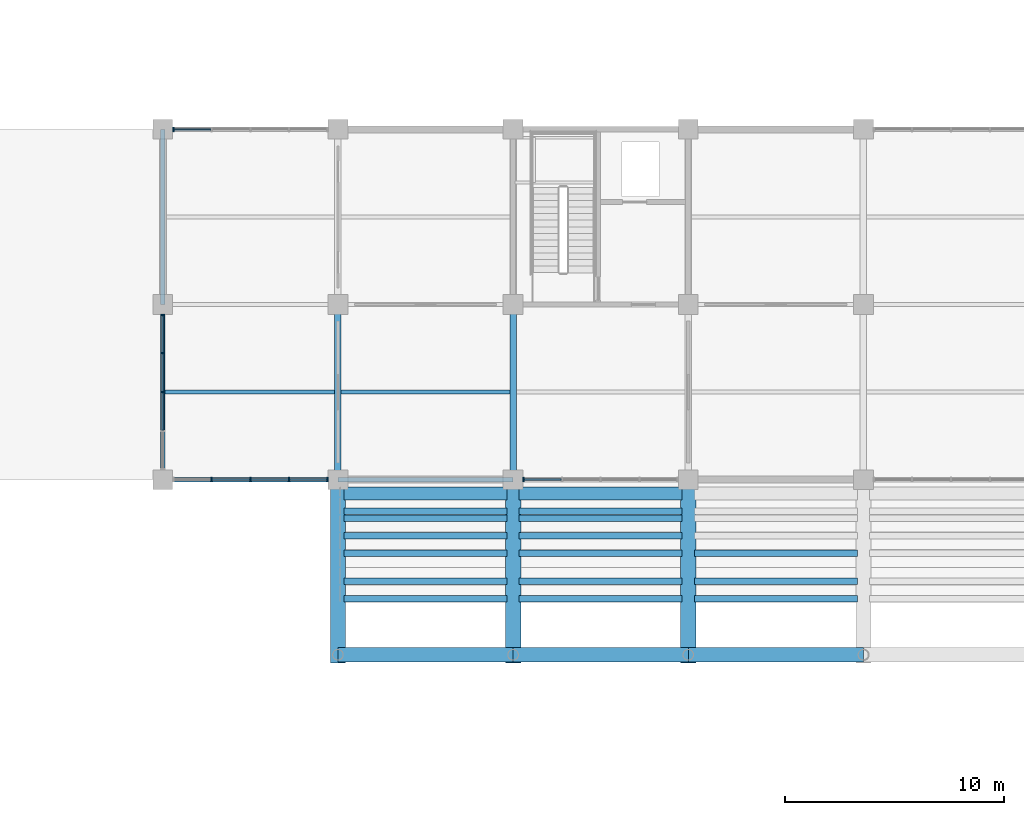
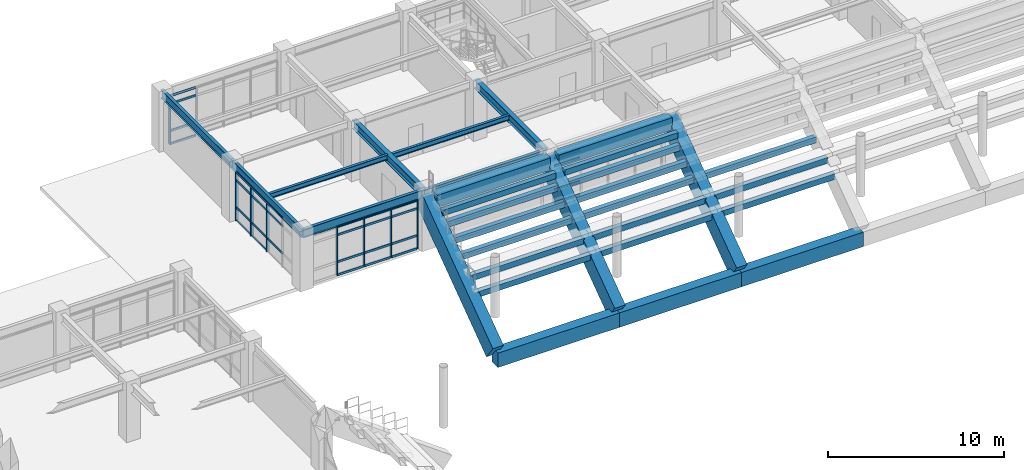
# One storey, part 53 of 118: 40 members, 31 beams, 4 elements without a shape of their own.
"""IFC4 building model written with IfcOpenShell, lengths in metres."""

from ifc_helpers import new_model, si_unit, direction, frame, origin, origin_2d, place, context, subcontext, project, spatial, rectangle, i_section, extrude, material, layer, layer_set, material_profile, profile_set, type_object, element, aggregate, save


model = new_model("IFC4")

# Units and contexts
model_context = context("Model", 3, precision=1e-05, world=origin(), true_north=direction((0.0, 1.0)))
body_context = subcontext(model_context, "Body", "Model", "MODEL_VIEW")
ifc_project = project(units=[si_unit("LENGTHUNIT", "METRE"), si_unit("AREAUNIT", "SQUARE_METRE"), si_unit("VOLUMEUNIT", "CUBIC_METRE"), si_unit("PLANEANGLEUNIT", "RADIAN"), si_unit("MASSUNIT", "GRAM", prefix="KILO")], contexts=[model_context])

# Site, building, storey
site_placement = place(None, origin())
site = spatial("IfcSite", under=ifc_project, at=site_placement, CompositionType="ELEMENT")
building_placement = place(site_placement, origin())
building = spatial("IfcBuilding", under=site, at=building_placement, Name="Haebicheon Civic Stadium", CompositionType="ELEMENT")
storey_placement = place(building_placement, frame((0.0, 0.0, 14.39990234375)))
storey = spatial("IfcBuildingStorey", under=building, at=storey_placement, Name="L04", CompositionType="ELEMENT", Elevation=14.39990234375)

# Beams
ifc_material_1 = material(Name="Precast concrete C40/50", Category="concrete")
ifc_material_profile_1 = material_profile(ifc_material_1, rectangle(XDim=0.300048828125, YDim=0.39990234375, at=origin_2d()), Name="PC-LN-300x400")
ifc_profile_set_1 = profile_set([ifc_material_profile_1], Name="Precast concrete C40/50")
beam_type_1 = type_object("IfcBeamType", Name="BM-LN-300x400", PredefinedType="LINTEL", material=ifc_profile_set_1)
for number, where, z_axis, x_axis, name in (
    (1, (80.280029296875, 146.56005859375, -0.10693359375), (1.0, 0.0, 0.0), (0.0, 1.0, 0.0), "TIER-N-U precast step carrier beam 1.4"),
    (2, (80.280029296875, 147.360107421875, 0.5380859375), (1.0, 0.0, 0.0), (0.0, 1.0, 0.0), "TIER-N-U precast step carrier beam 1.5"),
    (3, (80.280029296875, 148.639892578125, 1.18212890625), (1.0, 0.0, 0.0), (0.0, 1.0, 0.0), "TIER-N-U precast step carrier beam 1.6"),
    (4, (80.280029296875, 149.43994140625, 1.8271484375), (1.0, 0.0, 0.0), (0.0, 1.0, 0.0), "TIER-N-U precast step carrier beam 1.7"),
    (5, (80.280029296875, 150.239990234375, 2.47119140625), (1.0, 0.0, 0.0), (0.0, 1.0, 0.0), "TIER-N-U precast step carrier beam 1.8"),
    (6, (80.280029296875, 150.56005859375, 3.1162109375), (1.0, 0.0, 0.0), (0.0, 1.0, 0.0), "TIER-N-U precast step carrier beam 1.9"),
    (7, (88.280029296875, 146.56005859375, -0.10693359375), (1.0, 0.0, 0.0), (0.0, 1.0, 0.0), "TIER-N-U precast step carrier beam 2.4"),
    (8, (88.280029296875, 147.360107421875, 0.5380859375), (1.0, 0.0, 0.0), (0.0, 1.0, 0.0), "TIER-N-U precast step carrier beam 2.5"),
    (9, (88.280029296875, 148.639892578125, 1.18212890625), (1.0, 0.0, 0.0), (0.0, 1.0, 0.0), "TIER-N-U precast step carrier beam 2.6"),
    (10, (88.280029296875, 149.43994140625, 1.8271484375), (1.0, 0.0, 0.0), (0.0, 1.0, 0.0), "TIER-N-U precast step carrier beam 2.7"),
    (11, (88.280029296875, 150.239990234375, 2.47119140625), (1.0, 0.0, 0.0), (0.0, 1.0, 0.0), "TIER-N-U precast step carrier beam 2.8"),
    (12, (88.280029296875, 150.56005859375, 3.1162109375), (1.0, 0.0, 0.0), (0.0, 1.0, 0.0), "TIER-N-U precast step carrier beam 2.9"),
    (13, (96.280029296875, 146.56005859375, -0.10693359375), (1.0, 0.0, 0.0), (0.0, 1.0, 0.0), "TIER-N-U precast step carrier beam 3.4"),
    (14, (96.280029296875, 147.360107421875, 0.5380859375), (1.0, 0.0, 0.0), (0.0, 1.0, 0.0), "TIER-N-U precast step carrier beam 3.5"),
    (15, (96.280029296875, 148.639892578125, 1.18212890625), (1.0, 0.0, 0.0), (0.0, 1.0, 0.0), "TIER-N-U precast step carrier beam 3.6"),
):
    element("IfcBeam", number, at=place(storey_placement, frame(where, z_axis=z_axis, x_axis=x_axis)), inside=storey, type_object=beam_type_1, material=ifc_profile_set_1, Name=name, PredefinedType="LINTEL", context=body_context, shape_type="SweptSolid", body=[
        extrude(rectangle(XDim=0.300048828125, YDim=0.39990234375, at=origin_2d()), origin(), (0.0, 0.0, 1.0), 7.43994140625),
    ])
ifc_material_2 = material(Name="Concrete C40/50", Category="concrete")
ifc_material_profile_2 = material_profile(ifc_material_2, rectangle(XDim=0.64990234375, YDim=1.0, at=origin_2d()), Name="RC-BM-650x1000")
ifc_profile_set_2 = profile_set([ifc_material_profile_2], Name="Concrete C40/50")
beam_type_2 = type_object("IfcBeamType", Name="BM-RC-650x1000", PredefinedType="BEAM", material=ifc_profile_set_2)
for number, where, z_axis, x_axis, name in (
    (16, (80.0, 144.0, -2.914794921875), (1.0, 0.0, 0.0), (0.0, 1.0, 0.0), "TIER-N-U nose support girder 1"),
    (17, (88.0, 144.0, -2.914794921875), (1.0, 0.0, 0.0), (0.0, 1.0, 0.0), "TIER-N-U nose support girder 2"),
    (18, (96.0, 144.0, -2.914794921875), (1.0, 0.0, 0.0), (0.0, 1.0, 0.0), "TIER-N-U nose support girder 3"),
):
    element("IfcBeam", number, at=place(storey_placement, frame(where, z_axis=z_axis, x_axis=x_axis)), inside=storey, type_object=beam_type_2, material=ifc_profile_set_2, Name=name, PredefinedType="BEAM", context=body_context, shape_type="SweptSolid", body=[
        extrude(rectangle(XDim=0.64990234375, YDim=1.0, at=origin_2d()), origin(), (0.0, 0.0, 1.0), 8.0),
    ])
ifc_material_3 = material(Name="Steel SM355 (S355)", Category="steel")
ifc_material_profile_3 = material_profile(ifc_material_3, i_section(OverallWidth=0.300048828125, OverallDepth=0.60009765625, WebThickness=0.011962890625, FlangeThickness=0.02001953125, at=origin_2d()), Name="H-600x300x12x20")
ifc_profile_set_3 = profile_set([ifc_material_profile_3], Name="Steel SM355 (S355)")
beam_type_3 = type_object("IfcBeamType", Name="BM-ST-H600A", PredefinedType="BEAM", material=ifc_profile_set_3)
for number, where, z_axis, x_axis, name in (
    (19, (80.0, 152.0, 3.64013671875), (0.0, 1.0, 0.0), (-1.0, 0.0, 0.0), "L04 girder 11/V-W"),
    (20, (88.0, 152.0, 3.64013671875), (0.0, 1.0, 0.0), (-1.0, 0.0, 0.0), "L04 girder 12/V-W"),
):
    element("IfcBeam", number, at=place(storey_placement, frame(where, z_axis=z_axis, x_axis=x_axis)), inside=storey, type_object=beam_type_3, material=ifc_profile_set_3, Name=name, PredefinedType="BEAM", context=body_context, shape_type="SweptSolid", body=[
        extrude(i_section(OverallWidth=0.300048828125, OverallDepth=0.60009765625, WebThickness=0.011962890625, FlangeThickness=0.02001953125, at=origin_2d()), origin(), (0.0, 0.0, 1.0), 8.0),
    ])
ifc_material_4 = material(Name="Precast concrete C40/50", Category="concrete")
ifc_material_profile_4 = material_profile(ifc_material_4, rectangle(XDim=0.60009765625, YDim=0.85009765625, at=origin_2d()), Name="PC-TB-600x850")
ifc_profile_set_4 = profile_set([ifc_material_profile_4], Name="Precast concrete C40/50")
beam_type_4 = type_object("IfcBeamType", Name="BM-TB-600x850", PredefinedType="T_BEAM", material=ifc_profile_set_4)
for number, where, z_axis, x_axis, name in (
    (21, (80.280029296875, 151.360107421875, 3.53515625), (1.0, 0.0, 0.0), (0.0, 1.0, 0.0), "TIER-N-U upper tier bench carrier beam 1"),
    (22, (88.280029296875, 151.360107421875, 3.53515625), (1.0, 0.0, 0.0), (0.0, 1.0, 0.0), "TIER-N-U upper tier bench carrier beam 2"),
):
    element("IfcBeam", number, at=place(storey_placement, frame(where, z_axis=z_axis, x_axis=x_axis)), inside=storey, type_object=beam_type_4, material=ifc_profile_set_4, Name=name, PredefinedType="T_BEAM", context=body_context, shape_type="SweptSolid", body=[
        extrude(rectangle(XDim=0.60009765625, YDim=0.85009765625, at=origin_2d()), origin(), (0.0, 0.0, 1.0), 7.43994140625),
    ])

# Curtain wall, members
ifc_material_5 = material(Name="Anodised aluminium and laminated glass", Category="aluminium")
ifc_layer_1 = layer(ifc_material_5, 0.179931640625, Name="Anodised aluminium and laminated glass")
ifc_layer_set_1 = layer_set([ifc_layer_1], Name="Anodised aluminium and laminated glass")
curtain_wall_type_1 = type_object("IfcCurtainWallType", Name="CW-7100x3330", PredefinedType="NOTDEFINED", material=ifc_layer_set_1)
curtain_wall_1_placement = place(storey_placement, origin())
curtain_wall_1 = element("IfcCurtainWall", 23, at=curtain_wall_1_placement, inside=storey, type_object=curtain_wall_type_1, material=ifc_layer_set_1, Name="L04 unitised curtain wall 126", PredefinedType="NOTDEFINED")
ifc_material_6 = material(Name="Anodised aluminium 6063-T6", Category="aluminium")
ifc_material_profile_5 = material_profile(ifc_material_6, rectangle(XDim=0.070068359375, YDim=0.199951171875, at=origin_2d()), Name="ALU-MULL-70x200")
ifc_profile_set_5 = profile_set([ifc_material_profile_5], Name="Anodised aluminium 6063-T6")
member_type_1 = type_object("IfcMemberType", Name="CWM-200x70", PredefinedType="MULLION", material=ifc_profile_set_5)
member_1_placement = place(storey_placement, frame((74.22509765625, 152.0, 0.0), z_axis=(0.0, 0.0, 1.0), x_axis=(1.0, 0.0, 0.0)))
member_1 = element("IfcMember", 24, at=member_1_placement, type_object=member_type_1, material=ifc_profile_set_5, Name="CW-L04-126 vertical mullion 2", PredefinedType="MULLION", context=body_context, shape_type="SweptSolid", body=[
    extrude(rectangle(XDim=0.070068359375, YDim=0.199951171875, at=origin_2d()), origin(), (0.0, 0.0, 1.0), 3.330078125),
])
member_2_placement = place(storey_placement, frame((76.0, 152.0, 0.0), z_axis=(0.0, 0.0, 1.0), x_axis=(1.0, 0.0, 0.0)))
member_2 = element("IfcMember", 25, at=member_2_placement, type_object=member_type_1, material=ifc_profile_set_5, Name="CW-L04-126 vertical mullion 3", PredefinedType="MULLION", context=body_context, shape_type="SweptSolid", body=[
    extrude(rectangle(XDim=0.070068359375, YDim=0.199951171875, at=origin_2d()), origin(), (0.0, 0.0, 1.0), 3.330078125),
])
member_3_placement = place(storey_placement, frame((77.77490234375, 152.0, 0.0), z_axis=(0.0, 0.0, 1.0), x_axis=(1.0, 0.0, 0.0)))
member_3 = element("IfcMember", 26, at=member_3_placement, type_object=member_type_1, material=ifc_profile_set_5, Name="CW-L04-126 vertical mullion 4", PredefinedType="MULLION", context=body_context, shape_type="SweptSolid", body=[
    extrude(rectangle(XDim=0.070068359375, YDim=0.199951171875, at=origin_2d()), origin(), (0.0, 0.0, 1.0), 3.330078125),
])
member_4_placement = place(storey_placement, frame((79.514892578125, 152.0, 0.0), z_axis=(0.0, 0.0, 1.0), x_axis=(1.0, 0.0, 0.0)))
member_4 = element("IfcMember", 27, at=member_4_placement, type_object=member_type_1, material=ifc_profile_set_5, Name="CW-L04-126 vertical mullion 5", PredefinedType="MULLION", context=body_context, shape_type="SweptSolid", body=[
    extrude(rectangle(XDim=0.070068359375, YDim=0.199951171875, at=origin_2d()), origin(), (0.0, 0.0, 1.0), 3.330078125),
])

ifc_material_7 = material(Name="Anodised aluminium and laminated glass", Category="aluminium")
ifc_layer_2 = layer(ifc_material_7, 0.179931640625, Name="Anodised aluminium and laminated glass")
ifc_layer_set_2 = layer_set([ifc_layer_2], Name="Anodised aluminium and laminated glass")
curtain_wall_type_2 = type_object("IfcCurtainWallType", Name="CW-7100x3350", PredefinedType="NOTDEFINED", material=ifc_layer_set_2)
curtain_wall_2_placement = place(storey_placement, origin())
curtain_wall_2 = element("IfcCurtainWall", 28, at=curtain_wall_2_placement, inside=storey, type_object=curtain_wall_type_2, material=ifc_layer_set_2, Name="L04 unitised curtain wall 127", PredefinedType="NOTDEFINED")
member_5_placement = place(storey_placement, frame((72.0, 156.0, 0.0), z_axis=(0.0, 0.0, 1.0), x_axis=(0.0, 1.0, 0.0)))
member_5 = element("IfcMember", 29, at=member_5_placement, type_object=member_type_1, material=ifc_profile_set_5, Name="CW-L04-127 vertical mullion 3", PredefinedType="MULLION", context=body_context, shape_type="SweptSolid", body=[
    extrude(rectangle(XDim=0.070068359375, YDim=0.199951171875, at=origin_2d()), origin(), (0.0, 0.0, 1.0), 3.35009765625),
])
member_6_placement = place(storey_placement, frame((72.0, 157.77490234375, 0.0), z_axis=(0.0, 0.0, 1.0), x_axis=(0.0, 1.0, 0.0)))
member_6 = element("IfcMember", 30, at=member_6_placement, type_object=member_type_1, material=ifc_profile_set_5, Name="CW-L04-127 vertical mullion 4", PredefinedType="MULLION", context=body_context, shape_type="SweptSolid", body=[
    extrude(rectangle(XDim=0.070068359375, YDim=0.199951171875, at=origin_2d()), origin(), (0.0, 0.0, 1.0), 3.35009765625),
])
member_7_placement = place(storey_placement, frame((72.0, 159.514892578125, 0.0), z_axis=(0.0, 0.0, 1.0), x_axis=(0.0, 1.0, 0.0)))
member_7 = element("IfcMember", 31, at=member_7_placement, type_object=member_type_1, material=ifc_profile_set_5, Name="CW-L04-127 vertical mullion 5", PredefinedType="MULLION", context=body_context, shape_type="SweptSolid", body=[
    extrude(rectangle(XDim=0.070068359375, YDim=0.199951171875, at=origin_2d()), origin(), (0.0, 0.0, 1.0), 3.35009765625),
])

# Curtain wall, member
curtain_wall_3_placement = place(storey_placement, origin())
curtain_wall_3 = element("IfcCurtainWall", 32, at=curtain_wall_3_placement, inside=storey, type_object=curtain_wall_type_1, material=ifc_layer_set_1, Name="L04 unitised curtain wall 128", PredefinedType="NOTDEFINED")
member_8_placement = place(storey_placement, frame((72.485107421875, 168.0, 0.0), z_axis=(0.0, 0.0, 1.0), x_axis=(1.0, 0.0, 0.0)))
member_8 = element("IfcMember", 33, at=member_8_placement, type_object=member_type_1, material=ifc_profile_set_5, Name="CW-L04-128 vertical mullion 1", PredefinedType="MULLION", context=body_context, shape_type="SweptSolid", body=[
    extrude(rectangle(XDim=0.070068359375, YDim=0.199951171875, at=origin_2d()), origin(), (0.0, 0.0, 1.0), 3.330078125),
])

ifc_material_8 = material(Name="Anodised aluminium and laminated glass", Category="aluminium")
ifc_layer_3 = layer(ifc_material_8, 0.179931640625, Name="Anodised aluminium and laminated glass")
ifc_layer_set_3 = layer_set([ifc_layer_3], Name="Anodised aluminium and laminated glass")
curtain_wall_type_3 = type_object("IfcCurtainWallType", Name="CW-7100x3100", PredefinedType="NOTDEFINED", material=ifc_layer_set_3)
curtain_wall_4_placement = place(storey_placement, origin())
curtain_wall_4 = element("IfcCurtainWall", 34, at=curtain_wall_4_placement, inside=storey, type_object=curtain_wall_type_3, material=ifc_layer_set_3, Name="L04 unitised curtain wall 131", PredefinedType="NOTDEFINED")
member_9_placement = place(storey_placement, frame((88.485107421875, 152.0, 0.0), z_axis=(0.0, 0.0, 1.0), x_axis=(1.0, 0.0, 0.0)))
member_9 = element("IfcMember", 35, at=member_9_placement, type_object=member_type_1, material=ifc_profile_set_5, Name="CW-L04-131 vertical mullion 1", PredefinedType="MULLION", context=body_context, shape_type="SweptSolid", body=[
    extrude(rectangle(XDim=0.070068359375, YDim=0.199951171875, at=origin_2d()), origin(), (0.0, 0.0, 1.0), 3.10009765625),
])

# Member
ifc_material_9 = material(Name="Anodised aluminium 6063-T6", Category="aluminium")
ifc_material_profile_6 = material_profile(ifc_material_9, rectangle(XDim=0.070068359375, YDim=0.14990234375, at=origin_2d()), Name="ALU-TRAN-70x150")
ifc_profile_set_6 = profile_set([ifc_material_profile_6], Name="Anodised aluminium 6063-T6")
member_type_2 = type_object("IfcMemberType", Name="CWT-150x70", PredefinedType="NOTDEFINED", material=ifc_profile_set_6)
member_10_placement = place(storey_placement, frame((74.260009765625, 152.0, 0.0), z_axis=(1.0, 0.0, 0.0), x_axis=(0.0, 1.0, 0.0)))
member_10 = element("IfcMember", 36, at=member_10_placement, type_object=member_type_2, material=ifc_profile_set_6, Name="CW-L04-126 horizontal transom 2.1", ObjectType="TRANSOM", PredefinedType="USERDEFINED", context=body_context, shape_type="SweptSolid", body=[
    extrude(rectangle(XDim=0.070068359375, YDim=0.14990234375, at=origin_2d()), origin(), (0.0, 0.0, 1.0), 1.705078125),
])

member_11_placement = place(storey_placement, frame((74.260009765625, 152.0, 0.900146484375), z_axis=(1.0, 0.0, 0.0), x_axis=(0.0, 1.0, 0.0)))
member_11 = element("IfcMember", 37, at=member_11_placement, type_object=member_type_2, material=ifc_profile_set_6, Name="CW-L04-126 horizontal transom 2.2", ObjectType="TRANSOM", PredefinedType="USERDEFINED", context=body_context, shape_type="SweptSolid", body=[
    extrude(rectangle(XDim=0.070068359375, YDim=0.14990234375, at=origin_2d()), origin(), (0.0, 0.0, 1.0), 1.705078125),
])

member_12_placement = place(storey_placement, frame((74.260009765625, 152.0, 2.780029296875), z_axis=(1.0, 0.0, 0.0), x_axis=(0.0, 1.0, 0.0)))
member_12 = element("IfcMember", 38, at=member_12_placement, type_object=member_type_2, material=ifc_profile_set_6, Name="CW-L04-126 horizontal transom 2.3", ObjectType="TRANSOM", PredefinedType="USERDEFINED", context=body_context, shape_type="SweptSolid", body=[
    extrude(rectangle(XDim=0.070068359375, YDim=0.14990234375, at=origin_2d()), origin(), (0.0, 0.0, 1.0), 1.705078125),
])

member_13_placement = place(storey_placement, frame((74.260009765625, 152.0, 3.330078125), z_axis=(1.0, 0.0, 0.0), x_axis=(0.0, 1.0, 0.0)))
member_13 = element("IfcMember", 39, at=member_13_placement, type_object=member_type_2, material=ifc_profile_set_6, Name="CW-L04-126 horizontal transom 2.4", ObjectType="TRANSOM", PredefinedType="USERDEFINED", context=body_context, shape_type="SweptSolid", body=[
    extrude(rectangle(XDim=0.070068359375, YDim=0.14990234375, at=origin_2d()), origin(), (0.0, 0.0, 1.0), 1.705078125),
])

member_14_placement = place(storey_placement, frame((76.034912109375, 152.0, 0.0), z_axis=(1.0, 0.0, 0.0), x_axis=(0.0, 1.0, 0.0)))
member_14 = element("IfcMember", 40, at=member_14_placement, type_object=member_type_2, material=ifc_profile_set_6, Name="CW-L04-126 horizontal transom 3.1", ObjectType="TRANSOM", PredefinedType="USERDEFINED", context=body_context, shape_type="SweptSolid", body=[
    extrude(rectangle(XDim=0.070068359375, YDim=0.14990234375, at=origin_2d()), origin(), (0.0, 0.0, 1.0), 1.705078125),
])

member_15_placement = place(storey_placement, frame((76.034912109375, 152.0, 0.900146484375), z_axis=(1.0, 0.0, 0.0), x_axis=(0.0, 1.0, 0.0)))
member_15 = element("IfcMember", 41, at=member_15_placement, type_object=member_type_2, material=ifc_profile_set_6, Name="CW-L04-126 horizontal transom 3.2", ObjectType="TRANSOM", PredefinedType="USERDEFINED", context=body_context, shape_type="SweptSolid", body=[
    extrude(rectangle(XDim=0.070068359375, YDim=0.14990234375, at=origin_2d()), origin(), (0.0, 0.0, 1.0), 1.705078125),
])

member_16_placement = place(storey_placement, frame((76.034912109375, 152.0, 2.780029296875), z_axis=(1.0, 0.0, 0.0), x_axis=(0.0, 1.0, 0.0)))
member_16 = element("IfcMember", 42, at=member_16_placement, type_object=member_type_2, material=ifc_profile_set_6, Name="CW-L04-126 horizontal transom 3.3", ObjectType="TRANSOM", PredefinedType="USERDEFINED", context=body_context, shape_type="SweptSolid", body=[
    extrude(rectangle(XDim=0.070068359375, YDim=0.14990234375, at=origin_2d()), origin(), (0.0, 0.0, 1.0), 1.705078125),
])

member_17_placement = place(storey_placement, frame((76.034912109375, 152.0, 3.330078125), z_axis=(1.0, 0.0, 0.0), x_axis=(0.0, 1.0, 0.0)))
member_17 = element("IfcMember", 43, at=member_17_placement, type_object=member_type_2, material=ifc_profile_set_6, Name="CW-L04-126 horizontal transom 3.4", ObjectType="TRANSOM", PredefinedType="USERDEFINED", context=body_context, shape_type="SweptSolid", body=[
    extrude(rectangle(XDim=0.070068359375, YDim=0.14990234375, at=origin_2d()), origin(), (0.0, 0.0, 1.0), 1.705078125),
])

member_18_placement = place(storey_placement, frame((77.81005859375, 152.0, 0.0), z_axis=(1.0, 0.0, 0.0), x_axis=(0.0, 1.0, 0.0)))
member_18 = element("IfcMember", 44, at=member_18_placement, type_object=member_type_2, material=ifc_profile_set_6, Name="CW-L04-126 horizontal transom 4.1", ObjectType="TRANSOM", PredefinedType="USERDEFINED", context=body_context, shape_type="SweptSolid", body=[
    extrude(rectangle(XDim=0.070068359375, YDim=0.14990234375, at=origin_2d()), origin(), (0.0, 0.0, 1.0), 1.669921875),
])

member_19_placement = place(storey_placement, frame((77.81005859375, 152.0, 0.900146484375), z_axis=(1.0, 0.0, 0.0), x_axis=(0.0, 1.0, 0.0)))
member_19 = element("IfcMember", 45, at=member_19_placement, type_object=member_type_2, material=ifc_profile_set_6, Name="CW-L04-126 horizontal transom 4.2", ObjectType="TRANSOM", PredefinedType="USERDEFINED", context=body_context, shape_type="SweptSolid", body=[
    extrude(rectangle(XDim=0.070068359375, YDim=0.14990234375, at=origin_2d()), origin(), (0.0, 0.0, 1.0), 1.669921875),
])

member_20_placement = place(storey_placement, frame((77.81005859375, 152.0, 2.780029296875), z_axis=(1.0, 0.0, 0.0), x_axis=(0.0, 1.0, 0.0)))
member_20 = element("IfcMember", 46, at=member_20_placement, type_object=member_type_2, material=ifc_profile_set_6, Name="CW-L04-126 horizontal transom 4.3", ObjectType="TRANSOM", PredefinedType="USERDEFINED", context=body_context, shape_type="SweptSolid", body=[
    extrude(rectangle(XDim=0.070068359375, YDim=0.14990234375, at=origin_2d()), origin(), (0.0, 0.0, 1.0), 1.669921875),
])

member_21_placement = place(storey_placement, frame((77.81005859375, 152.0, 3.330078125), z_axis=(1.0, 0.0, 0.0), x_axis=(0.0, 1.0, 0.0)))
member_21 = element("IfcMember", 47, at=member_21_placement, type_object=member_type_2, material=ifc_profile_set_6, Name="CW-L04-126 horizontal transom 4.4", ObjectType="TRANSOM", PredefinedType="USERDEFINED", context=body_context, shape_type="SweptSolid", body=[
    extrude(rectangle(XDim=0.070068359375, YDim=0.14990234375, at=origin_2d()), origin(), (0.0, 0.0, 1.0), 1.669921875),
])

aggregate(curtain_wall_1, [member_1, member_2, member_3, member_4, member_10, member_11, member_12, member_13, member_14, member_15, member_16, member_17, member_18, member_19, member_20, member_21])

member_22_placement = place(storey_placement, frame((72.0, 154.260009765625, 0.900146484375), z_axis=(0.0, 1.0, 0.0), x_axis=(-1.0, 0.0, 0.0)))
member_22 = element("IfcMember", 48, at=member_22_placement, type_object=member_type_2, material=ifc_profile_set_6, Name="CW-L04-127 horizontal transom 2.2", ObjectType="TRANSOM", PredefinedType="USERDEFINED", context=body_context, shape_type="SweptSolid", body=[
    extrude(rectangle(XDim=0.070068359375, YDim=0.14990234375, at=origin_2d()), origin(), (0.0, 0.0, 1.0), 1.705078125),
])

member_23_placement = place(storey_placement, frame((72.0, 154.260009765625, 2.800048828125), z_axis=(0.0, 1.0, 0.0), x_axis=(-1.0, 0.0, 0.0)))
member_23 = element("IfcMember", 49, at=member_23_placement, type_object=member_type_2, material=ifc_profile_set_6, Name="CW-L04-127 horizontal transom 2.3", ObjectType="TRANSOM", PredefinedType="USERDEFINED", context=body_context, shape_type="SweptSolid", body=[
    extrude(rectangle(XDim=0.070068359375, YDim=0.14990234375, at=origin_2d()), origin(), (0.0, 0.0, 1.0), 1.705078125),
])

member_24_placement = place(storey_placement, frame((72.0, 154.260009765625, 3.35009765625), z_axis=(0.0, 1.0, 0.0), x_axis=(-1.0, 0.0, 0.0)))
member_24 = element("IfcMember", 50, at=member_24_placement, type_object=member_type_2, material=ifc_profile_set_6, Name="CW-L04-127 horizontal transom 2.4", ObjectType="TRANSOM", PredefinedType="USERDEFINED", context=body_context, shape_type="SweptSolid", body=[
    extrude(rectangle(XDim=0.070068359375, YDim=0.14990234375, at=origin_2d()), origin(), (0.0, 0.0, 1.0), 1.705078125),
])

member_25_placement = place(storey_placement, frame((72.0, 156.034912109375, 0.0), z_axis=(0.0, 1.0, 0.0), x_axis=(-1.0, 0.0, 0.0)))
member_25 = element("IfcMember", 51, at=member_25_placement, type_object=member_type_2, material=ifc_profile_set_6, Name="CW-L04-127 horizontal transom 3.1", ObjectType="TRANSOM", PredefinedType="USERDEFINED", context=body_context, shape_type="SweptSolid", body=[
    extrude(rectangle(XDim=0.070068359375, YDim=0.14990234375, at=origin_2d()), origin(), (0.0, 0.0, 1.0), 1.705078125),
])

member_26_placement = place(storey_placement, frame((72.0, 156.034912109375, 0.900146484375), z_axis=(0.0, 1.0, 0.0), x_axis=(-1.0, 0.0, 0.0)))
member_26 = element("IfcMember", 52, at=member_26_placement, type_object=member_type_2, material=ifc_profile_set_6, Name="CW-L04-127 horizontal transom 3.2", ObjectType="TRANSOM", PredefinedType="USERDEFINED", context=body_context, shape_type="SweptSolid", body=[
    extrude(rectangle(XDim=0.070068359375, YDim=0.14990234375, at=origin_2d()), origin(), (0.0, 0.0, 1.0), 1.705078125),
])

member_27_placement = place(storey_placement, frame((72.0, 156.034912109375, 2.800048828125), z_axis=(0.0, 1.0, 0.0), x_axis=(-1.0, 0.0, 0.0)))
member_27 = element("IfcMember", 53, at=member_27_placement, type_object=member_type_2, material=ifc_profile_set_6, Name="CW-L04-127 horizontal transom 3.3", ObjectType="TRANSOM", PredefinedType="USERDEFINED", context=body_context, shape_type="SweptSolid", body=[
    extrude(rectangle(XDim=0.070068359375, YDim=0.14990234375, at=origin_2d()), origin(), (0.0, 0.0, 1.0), 1.705078125),
])

member_28_placement = place(storey_placement, frame((72.0, 156.034912109375, 3.35009765625), z_axis=(0.0, 1.0, 0.0), x_axis=(-1.0, 0.0, 0.0)))
member_28 = element("IfcMember", 54, at=member_28_placement, type_object=member_type_2, material=ifc_profile_set_6, Name="CW-L04-127 horizontal transom 3.4", ObjectType="TRANSOM", PredefinedType="USERDEFINED", context=body_context, shape_type="SweptSolid", body=[
    extrude(rectangle(XDim=0.070068359375, YDim=0.14990234375, at=origin_2d()), origin(), (0.0, 0.0, 1.0), 1.705078125),
])

member_29_placement = place(storey_placement, frame((72.0, 157.81005859375, 0.0), z_axis=(0.0, 1.0, 0.0), x_axis=(-1.0, 0.0, 0.0)))
member_29 = element("IfcMember", 55, at=member_29_placement, type_object=member_type_2, material=ifc_profile_set_6, Name="CW-L04-127 horizontal transom 4.1", ObjectType="TRANSOM", PredefinedType="USERDEFINED", context=body_context, shape_type="SweptSolid", body=[
    extrude(rectangle(XDim=0.070068359375, YDim=0.14990234375, at=origin_2d()), origin(), (0.0, 0.0, 1.0), 1.669921875),
])

member_30_placement = place(storey_placement, frame((72.0, 157.81005859375, 0.900146484375), z_axis=(0.0, 1.0, 0.0), x_axis=(-1.0, 0.0, 0.0)))
member_30 = element("IfcMember", 56, at=member_30_placement, type_object=member_type_2, material=ifc_profile_set_6, Name="CW-L04-127 horizontal transom 4.2", ObjectType="TRANSOM", PredefinedType="USERDEFINED", context=body_context, shape_type="SweptSolid", body=[
    extrude(rectangle(XDim=0.070068359375, YDim=0.14990234375, at=origin_2d()), origin(), (0.0, 0.0, 1.0), 1.669921875),
])

member_31_placement = place(storey_placement, frame((72.0, 157.81005859375, 2.800048828125), z_axis=(0.0, 1.0, 0.0), x_axis=(-1.0, 0.0, 0.0)))
member_31 = element("IfcMember", 57, at=member_31_placement, type_object=member_type_2, material=ifc_profile_set_6, Name="CW-L04-127 horizontal transom 4.3", ObjectType="TRANSOM", PredefinedType="USERDEFINED", context=body_context, shape_type="SweptSolid", body=[
    extrude(rectangle(XDim=0.070068359375, YDim=0.14990234375, at=origin_2d()), origin(), (0.0, 0.0, 1.0), 1.669921875),
])

member_32_placement = place(storey_placement, frame((72.0, 157.81005859375, 3.35009765625), z_axis=(0.0, 1.0, 0.0), x_axis=(-1.0, 0.0, 0.0)))
member_32 = element("IfcMember", 58, at=member_32_placement, type_object=member_type_2, material=ifc_profile_set_6, Name="CW-L04-127 horizontal transom 4.4", ObjectType="TRANSOM", PredefinedType="USERDEFINED", context=body_context, shape_type="SweptSolid", body=[
    extrude(rectangle(XDim=0.070068359375, YDim=0.14990234375, at=origin_2d()), origin(), (0.0, 0.0, 1.0), 1.669921875),
])

aggregate(curtain_wall_2, [member_5, member_6, member_7, member_22, member_23, member_24, member_25, member_26, member_27, member_28, member_29, member_30, member_31, member_32])

member_33_placement = place(storey_placement, frame((72.52001953125, 168.0, 0.0), z_axis=(1.0, 0.0, 0.0), x_axis=(0.0, 1.0, 0.0)))
member_33 = element("IfcMember", 59, at=member_33_placement, type_object=member_type_2, material=ifc_profile_set_6, Name="CW-L04-128 horizontal transom 1.1", ObjectType="TRANSOM", PredefinedType="USERDEFINED", context=body_context, shape_type="SweptSolid", body=[
    extrude(rectangle(XDim=0.070068359375, YDim=0.14990234375, at=origin_2d()), origin(), (0.0, 0.0, 1.0), 1.669921875),
])

member_34_placement = place(storey_placement, frame((72.52001953125, 168.0, 0.900146484375), z_axis=(1.0, 0.0, 0.0), x_axis=(0.0, 1.0, 0.0)))
member_34 = element("IfcMember", 60, at=member_34_placement, type_object=member_type_2, material=ifc_profile_set_6, Name="CW-L04-128 horizontal transom 1.2", ObjectType="TRANSOM", PredefinedType="USERDEFINED", context=body_context, shape_type="SweptSolid", body=[
    extrude(rectangle(XDim=0.070068359375, YDim=0.14990234375, at=origin_2d()), origin(), (0.0, 0.0, 1.0), 1.669921875),
])

member_35_placement = place(storey_placement, frame((72.52001953125, 168.0, 2.780029296875), z_axis=(1.0, 0.0, 0.0), x_axis=(0.0, 1.0, 0.0)))
member_35 = element("IfcMember", 61, at=member_35_placement, type_object=member_type_2, material=ifc_profile_set_6, Name="CW-L04-128 horizontal transom 1.3", ObjectType="TRANSOM", PredefinedType="USERDEFINED", context=body_context, shape_type="SweptSolid", body=[
    extrude(rectangle(XDim=0.070068359375, YDim=0.14990234375, at=origin_2d()), origin(), (0.0, 0.0, 1.0), 1.669921875),
])

member_36_placement = place(storey_placement, frame((72.52001953125, 168.0, 3.330078125), z_axis=(1.0, 0.0, 0.0), x_axis=(0.0, 1.0, 0.0)))
member_36 = element("IfcMember", 62, at=member_36_placement, type_object=member_type_2, material=ifc_profile_set_6, Name="CW-L04-128 horizontal transom 1.4", ObjectType="TRANSOM", PredefinedType="USERDEFINED", context=body_context, shape_type="SweptSolid", body=[
    extrude(rectangle(XDim=0.070068359375, YDim=0.14990234375, at=origin_2d()), origin(), (0.0, 0.0, 1.0), 1.669921875),
])

aggregate(curtain_wall_3, [member_8, member_33, member_34, member_35, member_36])

member_37_placement = place(storey_placement, frame((88.52001953125, 152.0, 0.0), z_axis=(1.0, 0.0, 0.0), x_axis=(0.0, 1.0, 0.0)))
member_37 = element("IfcMember", 63, at=member_37_placement, type_object=member_type_2, material=ifc_profile_set_6, Name="CW-L04-131 horizontal transom 1.1", ObjectType="TRANSOM", PredefinedType="USERDEFINED", context=body_context, shape_type="SweptSolid", body=[
    extrude(rectangle(XDim=0.070068359375, YDim=0.14990234375, at=origin_2d()), origin(), (0.0, 0.0, 1.0), 1.669921875),
])

member_38_placement = place(storey_placement, frame((88.52001953125, 152.0, 0.900146484375), z_axis=(1.0, 0.0, 0.0), x_axis=(0.0, 1.0, 0.0)))
member_38 = element("IfcMember", 64, at=member_38_placement, type_object=member_type_2, material=ifc_profile_set_6, Name="CW-L04-131 horizontal transom 1.2", ObjectType="TRANSOM", PredefinedType="USERDEFINED", context=body_context, shape_type="SweptSolid", body=[
    extrude(rectangle(XDim=0.070068359375, YDim=0.14990234375, at=origin_2d()), origin(), (0.0, 0.0, 1.0), 1.669921875),
])

member_39_placement = place(storey_placement, frame((88.52001953125, 152.0, 2.550048828125), z_axis=(1.0, 0.0, 0.0), x_axis=(0.0, 1.0, 0.0)))
member_39 = element("IfcMember", 65, at=member_39_placement, type_object=member_type_2, material=ifc_profile_set_6, Name="CW-L04-131 horizontal transom 1.3", ObjectType="TRANSOM", PredefinedType="USERDEFINED", context=body_context, shape_type="SweptSolid", body=[
    extrude(rectangle(XDim=0.070068359375, YDim=0.14990234375, at=origin_2d()), origin(), (0.0, 0.0, 1.0), 1.669921875),
])

member_40_placement = place(storey_placement, frame((88.52001953125, 152.0, 3.10009765625), z_axis=(1.0, 0.0, 0.0), x_axis=(0.0, 1.0, 0.0)))
member_40 = element("IfcMember", 66, at=member_40_placement, type_object=member_type_2, material=ifc_profile_set_6, Name="CW-L04-131 horizontal transom 1.4", ObjectType="TRANSOM", PredefinedType="USERDEFINED", context=body_context, shape_type="SweptSolid", body=[
    extrude(rectangle(XDim=0.070068359375, YDim=0.14990234375, at=origin_2d()), origin(), (0.0, 0.0, 1.0), 1.669921875),
])

aggregate(curtain_wall_4, [member_9, member_37, member_38, member_39, member_40])

# Beams
ifc_material_10 = material(Name="Steel SM355 (S355)", Category="steel")
ifc_material_profile_7 = material_profile(ifc_material_10, i_section(OverallWidth=0.175048828125, OverallDepth=0.35009765625, WebThickness=0.007080078125, FlangeThickness=0.010986328125, at=origin_2d()), Name="H-350x175x7x11")
ifc_profile_set_7 = profile_set([ifc_material_profile_7], Name="Steel SM355 (S355)")
beam_type_5 = type_object("IfcBeamType", Name="JST-ST-H350", PredefinedType="JOIST", material=ifc_profile_set_7)
beam_1_placement = place(storey_placement, frame((72.10009765625, 156.0, 3.80517578125), z_axis=(1.0, 0.0, 0.0), x_axis=(0.0, 1.0, 0.0)))
element("IfcBeam", 67, at=beam_1_placement, inside=storey, type_object=beam_type_5, material=ifc_profile_set_7, Name="L04 secondary joist 09-19", PredefinedType="JOIST", context=body_context, shape_type="SweptSolid", body=[
    extrude(i_section(OverallWidth=0.175048828125, OverallDepth=0.35009765625, WebThickness=0.007080078125, FlangeThickness=0.010986328125, at=origin_2d()), origin(), (0.0, 0.0, 1.0), 7.75),
])
beam_2_placement = place(storey_placement, frame((80.14990234375, 156.0, 3.76513671875), z_axis=(1.0, 0.0, 0.0), x_axis=(0.0, 1.0, 0.0)))
element("IfcBeam", 68, at=beam_2_placement, inside=storey, type_object=beam_type_5, material=ifc_profile_set_7, Name="L04 secondary joist 10-19", PredefinedType="JOIST", context=body_context, shape_type="SweptSolid", body=[
    extrude(i_section(OverallWidth=0.175048828125, OverallDepth=0.35009765625, WebThickness=0.007080078125, FlangeThickness=0.010986328125, at=origin_2d()), origin(), (0.0, 0.0, 1.0), 7.7001953125),
])
ifc_material_11 = material(Name="Precast concrete C40/50", Category="concrete")
ifc_material_profile_8 = material_profile(ifc_material_11, rectangle(XDim=0.699951171875, YDim=1.25, at=origin_2d()), Name="PC-RK-700x1250")
ifc_profile_set_8 = profile_set([ifc_material_profile_8], Name="Precast concrete C40/50")
beam_type_6 = type_object("IfcBeamType", Name="RK-PC-700x1250", PredefinedType="USERDEFINED", material=ifc_profile_set_8)
for number, where, z_axis, x_axis, name in (
    (69, (80.0, 144.0, -2.46484375), (0.0, 0.809608095134, 0.586970810428), (-1.0, 0.0, 0.0), "TIER-N-U inclined precast raker beam 1"),
    (70, (88.0, 144.0, -2.46484375), (0.0, 0.809608095134, 0.586970810428), (-1.0, 0.0, 0.0), "TIER-N-U inclined precast raker beam 2"),
    (71, (96.0, 144.0, -2.46484375), (0.0, 0.809608095134, 0.586970810428), (-1.0, 0.0, 0.0), "TIER-N-U inclined precast raker beam 3"),
):
    element("IfcBeam", number, at=place(storey_placement, frame(where, z_axis=z_axis, x_axis=x_axis)), inside=storey, type_object=beam_type_6, material=ifc_profile_set_8, Name=name, ObjectType="RAKER BEAM", PredefinedType="USERDEFINED", context=body_context, shape_type="SweptSolid", body=[
        extrude(rectangle(XDim=0.699951171875, YDim=1.25, at=origin_2d()), origin(), (0.0, 0.0, 1.0), 9.88134765625),
    ])
ifc_material_12 = material(Name="Steel SM355 (S355)", Category="steel")
ifc_material_profile_9 = material_profile(ifc_material_12, i_section(OverallWidth=0.199951171875, OverallDepth=0.60009765625, WebThickness=0.010986328125, FlangeThickness=0.01708984375, at=origin_2d()), Name="H-600x200x11x17")
ifc_profile_set_9 = profile_set([ifc_material_profile_9], Name="Steel SM355 (S355)")
beam_type_7 = type_object("IfcBeamType", Name="SPD-ST-H600B", PredefinedType="SPANDREL", material=ifc_profile_set_9)
for number, where, z_axis, x_axis, name in (
    (72, (72.0, 152.0, 3.68017578125), (0.0, 1.0, 0.0), (-1.0, 0.0, 0.0), "L04 girder 10/V-W"),
    (73, (72.0, 160.0, 3.68017578125), (0.0, 1.0, 0.0), (-1.0, 0.0, 0.0), "L04 girder 10/W-X"),
    (74, (72.0, 152.0, 3.68017578125), (1.0, 0.0, 0.0), (0.0, 1.0, 0.0), "L04 beam V/10-11"),
    (75, (80.0, 152.0, 3.64013671875), (1.0, 0.0, 0.0), (0.0, 1.0, 0.0), "L04 beam V/11-12"),
):
    element("IfcBeam", number, at=place(storey_placement, frame(where, z_axis=z_axis, x_axis=x_axis)), inside=storey, type_object=beam_type_7, material=ifc_profile_set_9, Name=name, PredefinedType="SPANDREL", context=body_context, shape_type="SweptSolid", body=[
        extrude(i_section(OverallWidth=0.199951171875, OverallDepth=0.60009765625, WebThickness=0.010986328125, FlangeThickness=0.01708984375, at=origin_2d()), origin(), (0.0, 0.0, 1.0), 8.0),
    ])

save(model, "model.ifc")
